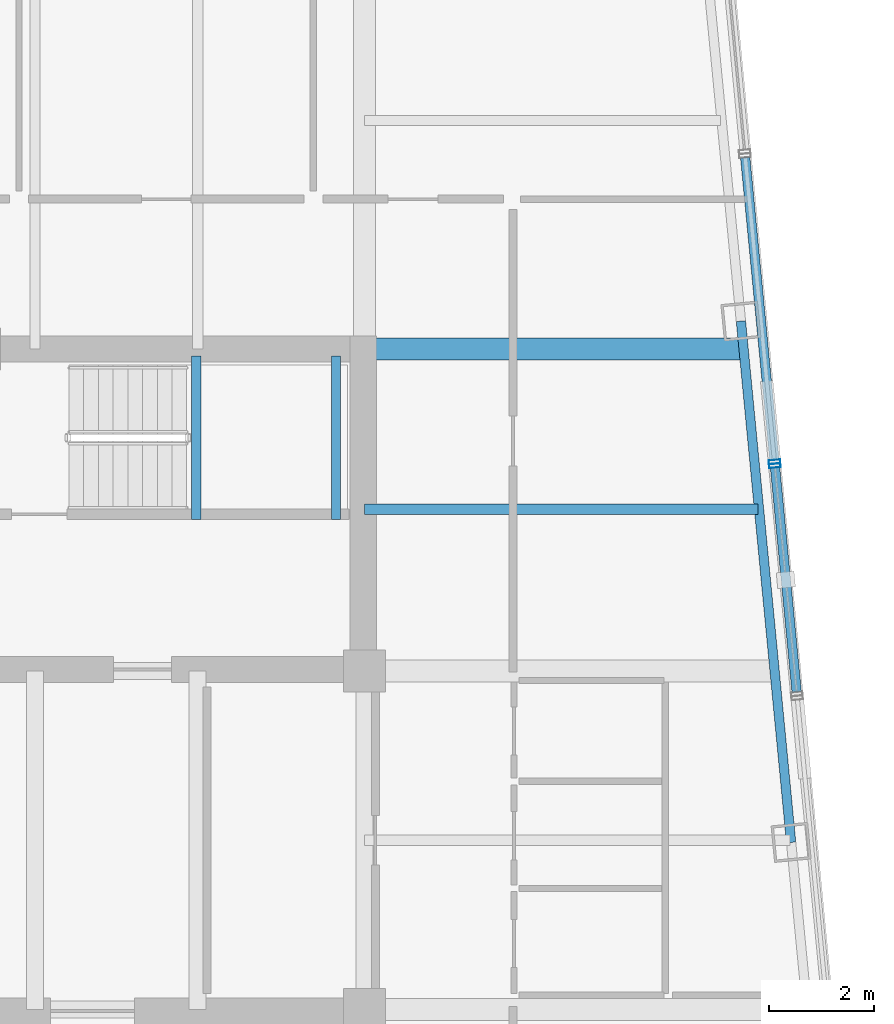
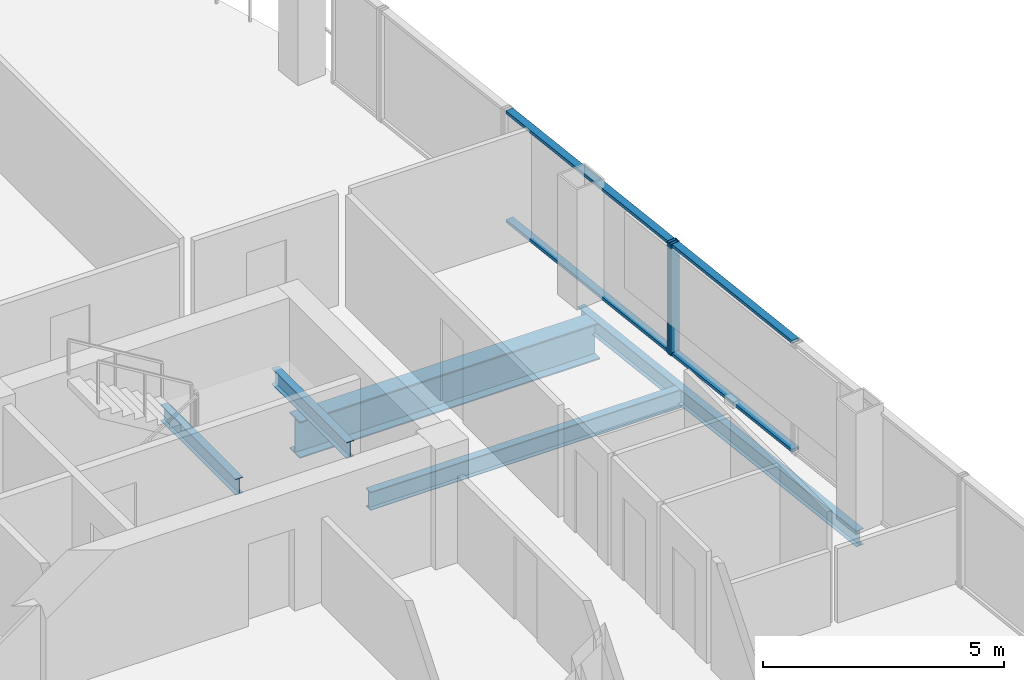
# One storey, part 11 of 22: 6 members, 5 beams, 2 elements without a shape of their own.
"""IFC4 building model written with IfcOpenShell, lengths in metres."""

import ifcopenshell
import ifcopenshell.guid

model = None  # the IFC model being written
_history = None  # IfcOwnerHistory: only IFC2X3 demands one
_inside = {}  # id of a spatial element -> (the spatial element, [elements in it])
_under = {}  # id of a project, library or spatial element -> (it, [spatial elements below it])
_declared = {}  # id of a project -> (the project, [libraries it declares])
_typed = {}  # id of a type object -> (the type object, [elements of that type])
_made_of = {}  # id of a material, layer set ... -> (it, [elements and type objects made of it])


def new_model(schema):
    """Start an empty IFC model of exactly this schema.

    Asked for "IFC4X3", IfcOpenShell would pick the latest addendum, in which some entities
    have other attributes; the version numbers below select the first issue.
    IFC2X3 requires an IfcOwnerHistory on every rooted entity: one is made here for all.
    """
    global model, _history
    if schema == "IFC4X3":
        model = ifcopenshell.file(schema_version=(4, 3, 0, 0))
    else:
        model = ifcopenshell.file(schema=schema)
    _inside.clear()
    _under.clear()
    _declared.clear()
    _typed.clear()
    _made_of.clear()
    _history = None
    if model.schema == "IFC2X3":
        org = make("IfcOrganization", Name="unknown")
        user = make(
            "IfcPersonAndOrganization",
            ThePerson=make("IfcPerson", FamilyName="unknown"),
            TheOrganization=org,
        )
        app = make(
            "IfcApplication",
            ApplicationDeveloper=org,
            Version="unknown",
            ApplicationFullName="unknown",
            ApplicationIdentifier="unknown",
        )
        _history = make(
            "IfcOwnerHistory",
            OwningUser=user,
            OwningApplication=app,
            ChangeAction="ADDED",
            CreationDate=0,
        )
    return model


def make(cls, **values):
    """One entity of the class cls with the attributes given. An attribute that is None is left unset."""
    return model.create_entity(
        cls, **{name: value for name, value in values.items() if value is not None}
    )


def rooted(cls, **values):
    """An entity with a GlobalId (a new one), such as an element, a storey or a relation."""
    return make(cls, GlobalId=ifcopenshell.guid.new(), OwnerHistory=_history, **values)


def si_unit(unit_type, name, prefix=None):
    """IfcSIUnit, for example si_unit("LENGTHUNIT", "METRE", prefix="MILLI")."""
    return make("IfcSIUnit", UnitType=unit_type, Prefix=prefix, Name=name)


def assignment(units):
    """IfcUnitAssignment: the units of a project."""
    return None if units is None else make("IfcUnitAssignment", Units=units)


def point(xyz):
    """IfcCartesianPoint."""
    return None if xyz is None else make("IfcCartesianPoint", Coordinates=xyz)


def direction(xyz):
    """IfcDirection."""
    return None if xyz is None else make("IfcDirection", DirectionRatios=xyz)


def frame(location, z_axis=None, x_axis=None):
    """IfcAxis2Placement3D, a coordinate frame: its origin and axes. An axis left out is left unset."""
    return make(
        "IfcAxis2Placement3D",
        Location=point(location),
        Axis=direction(z_axis),
        RefDirection=direction(x_axis),
    )


def frame_2d(location, x_axis=None):
    """IfcAxis2Placement2D, a coordinate frame in the plane: its origin and x axis."""
    return make(
        "IfcAxis2Placement2D", Location=point(location), RefDirection=direction(x_axis)
    )


def origin():
    """The frame at (0, 0, 0) with its axes left unset."""
    return frame((0.0, 0.0, 0.0))


def origin_2d():
    """The frame at (0, 0) in the plane with its x axis left unset."""
    return frame_2d((0.0, 0.0))


def place(relative_to, where):
    """IfcLocalPlacement: puts the frame where relative to a parent placement (None: the world)."""
    return make(
        "IfcLocalPlacement", PlacementRelTo=relative_to, RelativePlacement=where
    )


def context(
    kind, dimensions, precision=None, world=None, true_north=None, identifier=None
):
    """IfcGeometricRepresentationContext, for example the 3D "Model" context."""
    return make(
        "IfcGeometricRepresentationContext",
        ContextIdentifier=identifier,
        ContextType=kind,
        CoordinateSpaceDimension=dimensions,
        Precision=precision,
        WorldCoordinateSystem=world,
        TrueNorth=true_north,
    )


def subcontext(parent, identifier, kind, view, scale=None):
    """IfcGeometricRepresentationSubContext, for example "Body" below "Model"."""
    return make(
        "IfcGeometricRepresentationSubContext",
        ContextIdentifier=identifier,
        ContextType=kind,
        ParentContext=parent,
        TargetScale=scale,
        TargetView=view,
    )


def project(units=None, contexts=None):
    """IfcProject with its units and contexts."""
    return rooted(
        "IfcProject",
        Name="project",
        RepresentationContexts=contexts,
        UnitsInContext=assignment(units),
    )


def spatial(cls, under=None, at=None, **own):
    """A site, building, storey or space (cls), placed at a placement, below another one or the project."""
    s = rooted(cls, ObjectPlacement=at, **own)
    if under is not None:
        _under.setdefault(under.id(), (under, []))[1].append(s)
    return s


def profile(cls, at=None, kind="AREA", **sizes):
    """A parametric profile (cls). Its sizes go by their IFC names, for example OverallWidth=200.0."""
    return make(cls, ProfileType=kind, Position=at, **sizes)


def hollow_rectangle(**sizes):
    """IfcRectangleHollowProfileDef."""
    return profile("IfcRectangleHollowProfileDef", **sizes)


def i_section(**sizes):
    """IfcIShapeProfileDef."""
    return profile("IfcIShapeProfileDef", **sizes)


def extrude(swept, where, along, depth):
    """IfcExtrudedAreaSolid: the profile swept, set in the frame where, extruded along a direction by depth."""
    return make(
        "IfcExtrudedAreaSolid",
        SweptArea=swept,
        Position=where,
        ExtrudedDirection=direction(along),
        Depth=depth,
    )


def shape(context_of_items, identifier, shape_type, items):
    """IfcShapeRepresentation: the items that make up one representation, for example the "Body"."""
    return make(
        "IfcShapeRepresentation",
        ContextOfItems=context_of_items,
        RepresentationIdentifier=identifier,
        RepresentationType=shape_type,
        Items=items,
    )


def material(Name=None, Category=None):
    """IfcMaterial."""
    return make("IfcMaterial", Name=Name, Category=Category)


def layer(
    of_material, thickness, ventilated=None, Name=None, Category=None, Priority=None
):
    """IfcMaterialLayer: one layer of a wall or slab, of a material (None: an air gap)."""
    return make(
        "IfcMaterialLayer",
        Material=of_material,
        LayerThickness=thickness,
        IsVentilated=ventilated,
        Name=Name,
        Category=Category,
        Priority=Priority,
    )


def layer_set(layers, Name=None):
    """IfcMaterialLayerSet."""
    return make("IfcMaterialLayerSet", MaterialLayers=layers, LayerSetName=Name)


def material_profile(
    of_material, cross_section, Name=None, Category=None, Priority=None
):
    """IfcMaterialProfile: a cross section and its material."""
    return make(
        "IfcMaterialProfile",
        Name=Name,
        Material=of_material,
        Profile=cross_section,
        Priority=Priority,
        Category=Category,
    )


def profile_set(profiles, Name=None, composite=None):
    """IfcMaterialProfileSet."""
    return make(
        "IfcMaterialProfileSet",
        Name=Name,
        MaterialProfiles=profiles,
        CompositeProfile=composite,
    )


def made_of(thing, what):
    """Note that an element or type object is made of a material, layer set ...; save() writes the relation."""
    if what is not None:
        _made_of.setdefault(what.id(), (what, []))[1].append(thing)
    return thing


def type_object(cls, material=None, **own):
    """A type object (cls), such as IfcWallType, which elements share."""
    return made_of(rooted(cls, **own), material)


def element(
    cls,
    number,
    at=None,
    inside=None,
    cuts=None,
    type_object=None,
    material=None,
    context=None,
    identifier="Body",
    shape_type=None,
    held_by="IfcProductDefinitionShape",
    body=None,
    shapes=None,
    **own,
):
    """One element of the class cls, such as IfcWall. Its Tag is "e" and its number.

    at: its placement. inside: the storey or other place that contains it. cuts: it is an
    opening in that element (IfcRelVoidsElement). A single representation is given by context,
    identifier, shape_type and body (its items); several are given by shapes. held_by: the class
    of the entity that holds the representations. save() writes the other relations.
    """
    e = rooted(cls, Tag="e%d" % number, ObjectPlacement=at, **own)
    if body is not None:
        shapes = [shape(context, identifier, shape_type, body)]
    if shapes is not None:
        e.Representation = make(held_by, Representations=shapes)
    if inside is not None:
        _inside.setdefault(inside.id(), (inside, []))[1].append(e)
    if cuts is not None:
        rooted(
            "IfcRelVoidsElement", RelatingBuildingElement=cuts, RelatedOpeningElement=e
        )
    if type_object is not None:
        _typed.setdefault(type_object.id(), (type_object, []))[1].append(e)
    return made_of(e, material)


def aggregate(whole, parts):
    """IfcRelAggregates: a whole, such as a stair, and the parts it consists of."""
    return rooted("IfcRelAggregates", RelatingObject=whole, RelatedObjects=parts)


def save(model, path):
    """Write the relations noted so far, then the file.

    IfcRelAggregates (storeys below a building ...), IfcRelContainedInSpatialStructure (elements
    in a storey), IfcRelDefinesByType, IfcRelAssociatesMaterial and IfcRelDeclares: one each for
    every whole, place, type object, material and project.
    """
    for whole, parts in _under.values():
        aggregate(whole, parts)
    for where, things in _inside.values():
        rooted(
            "IfcRelContainedInSpatialStructure",
            RelatedElements=things,
            RelatingStructure=where,
        )
    for kind, things in _typed.values():
        rooted("IfcRelDefinesByType", RelatedObjects=things, RelatingType=kind)
    for what, things in _made_of.values():
        rooted("IfcRelAssociatesMaterial", RelatedObjects=things, RelatingMaterial=what)
    for by, libraries in _declared.values():
        rooted("IfcRelDeclares", RelatingContext=by, RelatedDefinitions=libraries)
    model.write(path)


model = new_model("IFC4")

# Units and contexts
model_context = context("Model", 3, precision=1e-05, world=origin(), true_north=direction((0.0, 1.0)))
body_context = subcontext(model_context, "Body", "Model", "MODEL_VIEW")
ifc_project = project(units=[si_unit("LENGTHUNIT", "METRE"), si_unit("AREAUNIT", "SQUARE_METRE"), si_unit("VOLUMEUNIT", "CUBIC_METRE"), si_unit("PLANEANGLEUNIT", "RADIAN"), si_unit("MASSUNIT", "GRAM", prefix="KILO")], contexts=[model_context])

# Site, building, storey
site_placement = place(None, origin())
site = spatial("IfcSite", under=ifc_project, at=site_placement, CompositionType="ELEMENT")
building_placement = place(site_placement, origin())
building = spatial("IfcBuilding", under=site, at=building_placement, Name="Qhalaya Broadcast Tower", CompositionType="ELEMENT")
storey_placement = place(building_placement, frame((0.0, 0.0, 171.39990234375)))
storey = spatial("IfcBuildingStorey", under=building, at=storey_placement, Name="L50", CompositionType="ELEMENT", Elevation=171.39990234375)

# Beams
ifc_material_1 = material(Name="Structural Steel ASTM A992 Grade 50", Category="steel")
ifc_material_profile_1 = material_profile(ifc_material_1, i_section(OverallWidth=0.19189453125, OverallDepth=0.462890625, WebThickness=0.010498046875, FlangeThickness=0.017578125, at=origin_2d()), Name="W18X60")
ifc_profile_set_1 = profile_set([ifc_material_profile_1], Name="Structural Steel ASTM A992 Grade 50")
beam_type_1 = type_object("IfcBeamType", Name="Composite Floor Joist J03", PredefinedType="JOIST", material=ifc_profile_set_1)
beam_1_placement = place(storey_placement, frame((9.375, 6.89990234375, -0.451416015625), z_axis=(1.0, 0.0, 0.0), x_axis=(0.0, 1.0, 0.0)))
element("IfcBeam", 1, at=beam_1_placement, inside=storey, type_object=beam_type_1, Name="L50 J03 L50-JWE5E-1", PredefinedType="JOIST", context=body_context, shape_type="SweptSolid", body=[
    extrude(i_section(OverallWidth=0.19189453125, OverallDepth=0.462890625, WebThickness=0.010498046875, FlangeThickness=0.017578125, at=origin_2d()), origin(), (0.0, 0.0, 1.0), 7.48681640625),
])
ifc_material_profile_2 = material_profile(ifc_material_1, i_section(OverallWidth=0.4189453125, OverallDepth=0.927001953125, WebThickness=0.019287109375, FlangeThickness=0.031982421875, at=origin_2d()), Name="W36X231")
ifc_profile_set_2 = profile_set([ifc_material_profile_2], Name="Structural Steel ASTM A992 Grade 50")
beam_type_2 = type_object("IfcBeamType", Name="Mid Block Primary Girder PG3", PredefinedType="USERDEFINED", material=ifc_profile_set_2)
beam_2_placement = place(storey_placement, frame((9.375, 9.949951171875, -0.683349609375), z_axis=(1.0, 0.0, 0.0), x_axis=(0.0, 1.0, 0.0)))
element("IfcBeam", 2, at=beam_2_placement, inside=storey, type_object=beam_type_2, Name="L50 PG3 L50-PGYE4-1", ObjectType="GIRDER", PredefinedType="USERDEFINED", context=body_context, shape_type="SweptSolid", body=[
    extrude(i_section(OverallWidth=0.4189453125, OverallDepth=0.927001953125, WebThickness=0.019287109375, FlangeThickness=0.031982421875, at=origin_2d()), origin(), (0.0, 0.0, 1.0), 7.193115234375),
])

# Curtain wall, member
ifc_material_2 = material(Name="Solar-Control Low-E Triple Glazing", Category="glass")
ifc_layer_1 = layer(ifc_material_2, 0.219970703125, Name="Solar-Control Low-E Triple Glazing")
ifc_layer_set_1 = layer_set([ifc_layer_1], Name="Solar-Control Low-E Triple Glazing")
curtain_wall_type_1 = type_object("IfcCurtainWallType", Name="Even-Block 4-Storey Double-Module Curtain Wall CW-03", PredefinedType="NOTDEFINED", material=ifc_layer_set_1)
curtain_wall_1_placement = place(storey_placement, origin())
curtain_wall_1 = element("IfcCurtainWall", 3, at=curtain_wall_1_placement, inside=storey, type_object=curtain_wall_type_1, Name="L50 Unitised Curtain Wall L50-CW-E4", PredefinedType="NOTDEFINED")
ifc_material_3 = material(Name="Anodised Aluminium 6063-T6", Category="aluminium")
ifc_material_profile_3 = material_profile(ifc_material_3, hollow_rectangle(XDim=0.074951171875, YDim=0.219970703125, WallThickness=0.00390625, at=origin_2d()), Name="ALU-MUL 75x220x4")
ifc_profile_set_3 = profile_set([ifc_material_profile_3], Name="Anodised Aluminium 6063-T6")
member_type_1 = type_object("IfcMemberType", Name="Unitised Curtain-Wall Mullion M01", PredefinedType="MULLION", material=ifc_profile_set_3)
member_1_placement = place(storey_placement, frame((17.18408203125, 7.72705078125, 0.0), z_axis=(0.0, 0.0, 1.0), x_axis=(-0.095855381625, 0.995395271143, 0.0)))
member_1 = element("IfcMember", 4, at=member_1_placement, type_object=member_type_1, Name="CW-03 mullion 2", PredefinedType="MULLION", context=body_context, shape_type="SweptSolid", body=[
    extrude(hollow_rectangle(XDim=0.074951171875, YDim=0.219970703125, WallThickness=0.00390625, at=origin_2d()), origin(), (0.0, 0.0, 1.0), 2.830078125),
])

ifc_material_4 = material(Name="Fired Architectural Terracotta", Category="masonry")
ifc_layer_2 = layer(ifc_material_4, 0.219970703125, Name="Fired Architectural Terracotta")
ifc_layer_set_2 = layer_set([ifc_layer_2], Name="Fired Architectural Terracotta")
curtain_wall_type_2 = type_object("IfcCurtainWallType", Name="Block-Cap Unitised Terracotta Spandrel Wall CW-07", PredefinedType="NOTDEFINED", material=ifc_layer_set_2)
curtain_wall_2_placement = place(storey_placement, origin())
curtain_wall_2 = element("IfcCurtainWall", 5, at=curtain_wall_2_placement, inside=storey, type_object=curtain_wall_type_2, Name="L50 Unitised Curtain Wall L50-CW-E5", PredefinedType="NOTDEFINED")
member_2_placement = place(storey_placement, frame((17.177001953125, 7.8017578125, 0.0), z_axis=(0.0, 0.0, 1.0), x_axis=(-0.095849311193, 0.9953958557, 0.0)))
member_2 = element("IfcMember", 6, at=member_2_placement, type_object=member_type_1, Name="CW-07 mullion 1", PredefinedType="MULLION", context=body_context, shape_type="SweptSolid", body=[
    extrude(hollow_rectangle(XDim=0.074951171875, YDim=0.219970703125, WallThickness=0.00390625, at=origin_2d()), origin(), (0.0, 0.0, 1.0), 2.830078125),
])

# Member
ifc_material_profile_4 = material_profile(ifc_material_3, hollow_rectangle(XDim=0.074951171875, YDim=0.179931640625, WallThickness=0.00390625, at=origin_2d()), Name="ALU-TRN 75x180x4")
ifc_profile_set_4 = profile_set([ifc_material_profile_4], Name="Anodised Aluminium 6063-T6")
member_type_2 = type_object("IfcMemberType", Name="Unitised Curtain-Wall Transom T01", PredefinedType="USERDEFINED", material=ifc_profile_set_4)
member_3_placement = place(storey_placement, frame((17.5986328125, 3.421630859375, 0.03759765625), z_axis=(-0.095827409571, 0.995397964422, 0.0), x_axis=(0.0, 0.0, 1.0)))
member_3 = element("IfcMember", 7, at=member_3_placement, type_object=member_type_2, Name="CW-03 transom 1.1", ObjectType="TRANSOM", PredefinedType="USERDEFINED", context=body_context, shape_type="SweptSolid", body=[
    extrude(hollow_rectangle(XDim=0.074951171875, YDim=0.179931640625, WallThickness=0.00390625, at=origin_2d()), origin(), (0.0, 0.0, 1.0), 4.287841796875),
])

member_4_placement = place(storey_placement, frame((17.5986328125, 3.421630859375, 2.79248046875), z_axis=(-0.095827409571, 0.995397964422, 0.0), x_axis=(0.0, 0.0, 1.0)))
member_4 = element("IfcMember", 8, at=member_4_placement, type_object=member_type_2, Name="CW-03 transom 1.2", ObjectType="TRANSOM", PredefinedType="USERDEFINED", context=body_context, shape_type="SweptSolid", body=[
    extrude(hollow_rectangle(XDim=0.074951171875, YDim=0.179931640625, WallThickness=0.00390625, at=origin_2d()), origin(), (0.0, 0.0, 1.0), 4.287841796875),
])

aggregate(curtain_wall_1, [member_1, member_3, member_4])

member_5_placement = place(storey_placement, frame((17.17333984375, 7.839111328125, 0.03759765625), z_axis=(-0.095855691474, 0.995395241305, 0.0), x_axis=(0.0, 0.0, 1.0)))
member_5 = element("IfcMember", 9, at=member_5_placement, type_object=member_type_2, Name="CW-07 transom 1.1", ObjectType="TRANSOM", PredefinedType="USERDEFINED", context=body_context, shape_type="SweptSolid", body=[
    extrude(hollow_rectangle(XDim=0.074951171875, YDim=0.179931640625, WallThickness=0.00390625, at=origin_2d()), origin(), (0.0, 0.0, 1.0), 5.779052734375),
])

member_6_placement = place(storey_placement, frame((17.17333984375, 7.839111328125, 2.79248046875), z_axis=(-0.095855691474, 0.995395241305, 0.0), x_axis=(0.0, 0.0, 1.0)))
member_6 = element("IfcMember", 10, at=member_6_placement, type_object=member_type_2, Name="CW-07 transom 1.2", ObjectType="TRANSOM", PredefinedType="USERDEFINED", context=body_context, shape_type="SweptSolid", body=[
    extrude(hollow_rectangle(XDim=0.074951171875, YDim=0.179931640625, WallThickness=0.00390625, at=origin_2d()), origin(), (0.0, 0.0, 1.0), 5.779052734375),
])

aggregate(curtain_wall_2, [member_2, member_5, member_6])

# Beams
ifc_material_profile_5 = material_profile(ifc_material_1, i_section(OverallWidth=0.177978515625, OverallDepth=0.406005859375, WebThickness=0.0078125, FlangeThickness=0.0126953125, at=origin_2d()), Name="W16X40")
ifc_profile_set_5 = profile_set([ifc_material_profile_5], Name="Structural Steel ASTM A992 Grade 50")
beam_type_3 = type_object("IfcBeamType", Name="Upper Perimeter Spandrel Beam SP2", PredefinedType="SPANDREL", material=ifc_profile_set_5)
beam_3_placement = place(storey_placement, frame((17.49267578125, 0.558837890625, -0.4228515625), z_axis=(-0.095852900965, 0.995395510024, 0.0), x_axis=(-0.995395510024, -0.095852900965, 0.0)))
element("IfcBeam", 11, at=beam_3_placement, inside=storey, type_object=beam_type_3, Name="L50 SP2 L50-SPR-06", PredefinedType="SPANDREL", context=body_context, shape_type="SweptSolid", body=[
    extrude(i_section(OverallWidth=0.177978515625, OverallDepth=0.406005859375, WebThickness=0.0078125, FlangeThickness=0.0126953125, at=origin_2d()), origin(), (0.0, 0.0, 1.0), 9.966552734375),
])
for number, where, z_axis, x_axis, name in (
    (12, (6.175048828125, 6.699951171875, 1.1220703125), (0.0, 1.0, 0.0), (-1.0, 0.0, 0.0), "L50 ST-1 Half-Landing Bearer Beam 1"),
    (13, (8.830078125, 6.699951171875, 1.1220703125), (0.0, 1.0, 0.0), (-1.0, 0.0, 0.0), "L50 ST-1 Half-Landing Bearer Beam 2"),
):
    element("IfcBeam", number, at=place(storey_placement, frame(where, z_axis=z_axis, x_axis=x_axis)), inside=storey, type_object=beam_type_3, Name=name, PredefinedType="SPANDREL", context=body_context, shape_type="SweptSolid", body=[
        extrude(i_section(OverallWidth=0.177978515625, OverallDepth=0.406005859375, WebThickness=0.0078125, FlangeThickness=0.0126953125, at=origin_2d()), origin(), (0.0, 0.0, 1.0), 3.1201171875),
    ])

save(model, "model.ifc")
